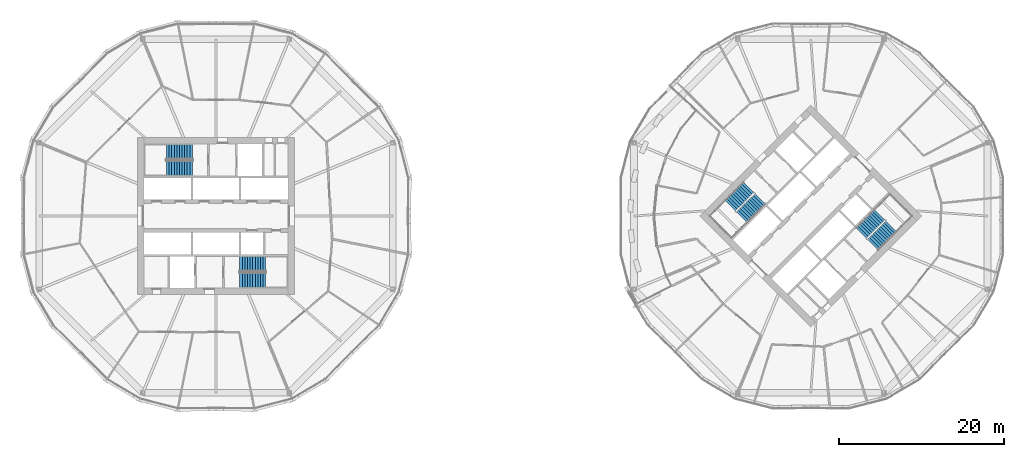
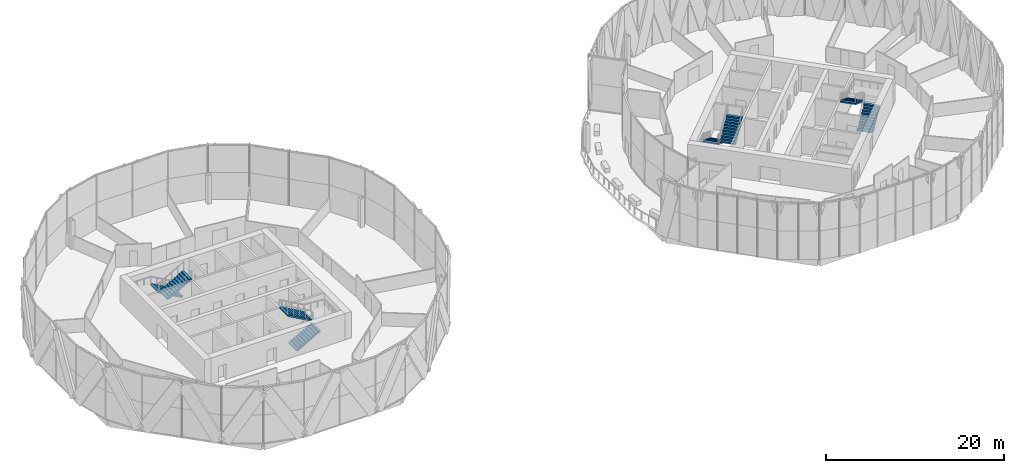
# One storey, part 27 of 31: 8 stair flights, 4 elements without a shape of their own.
"""IFC4 building model written with IfcOpenShell, lengths in metres."""

from ifc_helpers import new_model, si_unit, direction, frame, origin, place, context, subcontext, project, spatial, polyline, outline, extrude, material, type_object, element, aggregate, save


model = new_model("IFC4")

# Units and contexts
model_context = context("Model", 3, precision=1e-05, world=origin(), true_north=direction((0.0, 1.0)))
body_context = subcontext(model_context, "Body", "Model", "MODEL_VIEW")
ifc_project = project(units=[si_unit("LENGTHUNIT", "METRE"), si_unit("AREAUNIT", "SQUARE_METRE"), si_unit("VOLUMEUNIT", "CUBIC_METRE"), si_unit("PLANEANGLEUNIT", "RADIAN"), si_unit("MASSUNIT", "GRAM", prefix="KILO")], contexts=[model_context])

# Site, building, storey
site_placement = place(None, origin())
site = spatial("IfcSite", under=ifc_project, at=site_placement, CompositionType="ELEMENT")
building_placement = place(site_placement, origin())
building = spatial("IfcBuilding", under=site, at=building_placement, Name="Ogive Gate Towers", CompositionType="ELEMENT")
storey_placement = place(building_placement, frame((0.0, 0.0, 107.39990234375)))
storey = spatial("IfcBuildingStorey", under=building, at=storey_placement, Name="L25", CompositionType="ELEMENT", Elevation=107.39990234375)

# Stair, stair flights
ifc_material = material(Name="Concrete C40/50", Category="concrete")
stair_type = type_object("IfcStairType", Name="Escape stair 1840 wide", PredefinedType="HALF_TURN_STAIR", material=ifc_material)
stair_1_placement = place(storey_placement, origin())
stair_1 = element("IfcStair", 1, at=stair_1_placement, inside=storey, type_object=stair_type, Name="L25 Escape stair 1", PredefinedType="HALF_TURN_STAIR")
stair_flight_type = type_object("IfcStairFlightType", Name="Stair flight 1840 wide", PredefinedType="STRAIGHT", material=ifc_material)
stair_flight_1_placement = place(storey_placement, frame((-38.864990234375, 7.780029296875, 0.0), z_axis=(0.0, 0.0, 1.0), x_axis=(-1.0, 0.0, 0.0)))
stair_flight_1 = element("IfcStairFlight", 2, at=stair_flight_1_placement, type_object=stair_flight_type, Name="ST1 flight 1", NumberOfRisers=11, NumberOfTreads=10, PredefinedType="STRAIGHT", RiserHeight=0.177272727, TreadLength=0.313636364, context=body_context, shape_type="SweptSolid", body=[
    extrude(outline(polyline([(0.0, 0.0), (0.0, 0.17724609375), (0.313720703125, 0.17724609375), (0.313720703125, 0.3544921875), (0.627197265625, 0.3544921875), (0.627197265625, 0.53173828125), (0.94091796875, 0.53173828125), (0.94091796875, 0.708984375), (1.254638671875, 0.708984375), (1.254638671875, 0.886474609375), (1.568115234375, 0.886474609375), (1.568115234375, 1.063720703125), (1.8818359375, 1.063720703125), (1.8818359375, 1.240966796875), (2.195556640625, 1.240966796875), (2.195556640625, 1.418212890625), (2.509033203125, 1.418212890625), (2.509033203125, 1.595458984375), (2.82275390625, 1.595458984375), (2.82275390625, 1.772705078125), (3.136474609375, 1.772705078125), (3.136474609375, 1.949951171875), (3.136474609375, 1.6005859375), (0.3046875, 0.0), (0.0, 0.0)])), frame((0.0, 0.919921875, 0.0), z_axis=(0.0, -1.0, 0.0), x_axis=(1.0, 0.0, 0.0)), (0.0, 0.0, 1.0), 1.840087890625),
])
stair_flight_2_placement = place(storey_placement, frame((-42.00146484375, 5.794921875, 1.9501953125), z_axis=(0.0, 0.0, 1.0), x_axis=(1.0, 0.0, 0.0)))
stair_flight_2 = element("IfcStairFlight", 3, at=stair_flight_2_placement, type_object=stair_flight_type, Name="ST1 flight 2", NumberOfRisers=11, NumberOfTreads=10, PredefinedType="STRAIGHT", RiserHeight=0.177272727, TreadLength=0.313636364, context=body_context, shape_type="SweptSolid", body=[
    extrude(outline(polyline([(0.0, 0.0), (0.0, 0.17724609375), (0.313720703125, 0.17724609375), (0.313720703125, 0.3544921875), (0.627197265625, 0.3544921875), (0.627197265625, 0.53173828125), (0.94091796875, 0.53173828125), (0.94091796875, 0.708984375), (1.254638671875, 0.708984375), (1.254638671875, 0.886474609375), (1.568115234375, 0.886474609375), (1.568115234375, 1.063720703125), (1.8818359375, 1.063720703125), (1.8818359375, 1.240966796875), (2.195556640625, 1.240966796875), (2.195556640625, 1.418212890625), (2.509033203125, 1.418212890625), (2.509033203125, 1.595458984375), (2.82275390625, 1.595458984375), (2.82275390625, 1.772705078125), (3.136474609375, 1.772705078125), (3.136474609375, 1.949951171875), (3.136474609375, 1.6005859375), (0.3046875, 0.0), (0.0, 0.0)])), frame((0.0, 0.919921875, 0.0), z_axis=(0.0, -1.0, 0.0), x_axis=(1.0, 0.0, 0.0)), (0.0, 0.0, 1.0), 1.840087890625),
])
aggregate(stair_1, [stair_flight_1, stair_flight_2])

stair_2_placement = place(storey_placement, origin())
stair_2 = element("IfcStair", 4, at=stair_2_placement, inside=storey, type_object=stair_type, Name="L25 Escape stair 2", PredefinedType="HALF_TURN_STAIR")
stair_flight_3_placement = place(storey_placement, frame((-33.135009765625, -7.780029296875, 0.0), z_axis=(0.0, 0.0, 1.0), x_axis=(1.0, 0.0, 0.0)))
stair_flight_3 = element("IfcStairFlight", 5, at=stair_flight_3_placement, type_object=stair_flight_type, Name="ST2 flight 1", NumberOfRisers=11, NumberOfTreads=10, PredefinedType="STRAIGHT", RiserHeight=0.177272727, TreadLength=0.313636364, context=body_context, shape_type="SweptSolid", body=[
    extrude(outline(polyline([(0.0, 0.0), (0.0, 0.17724609375), (0.313720703125, 0.17724609375), (0.313720703125, 0.3544921875), (0.627197265625, 0.3544921875), (0.627197265625, 0.53173828125), (0.94091796875, 0.53173828125), (0.94091796875, 0.708984375), (1.254638671875, 0.708984375), (1.254638671875, 0.886474609375), (1.568115234375, 0.886474609375), (1.568115234375, 1.063720703125), (1.8818359375, 1.063720703125), (1.8818359375, 1.240966796875), (2.195556640625, 1.240966796875), (2.195556640625, 1.418212890625), (2.509033203125, 1.418212890625), (2.509033203125, 1.595458984375), (2.82275390625, 1.595458984375), (2.82275390625, 1.772705078125), (3.136474609375, 1.772705078125), (3.136474609375, 1.949951171875), (3.136474609375, 1.6005859375), (0.3046875, 0.0), (0.0, 0.0)])), frame((0.0, 0.919921875, 0.0), z_axis=(0.0, -1.0, 0.0), x_axis=(1.0, 0.0, 0.0)), (0.0, 0.0, 1.0), 1.840087890625),
])
stair_flight_4_placement = place(storey_placement, frame((-29.99853515625, -5.794921875, 1.9501953125), z_axis=(0.0, 0.0, 1.0), x_axis=(-1.0, 0.0, 0.0)))
stair_flight_4 = element("IfcStairFlight", 6, at=stair_flight_4_placement, type_object=stair_flight_type, Name="ST2 flight 2", NumberOfRisers=11, NumberOfTreads=10, PredefinedType="STRAIGHT", RiserHeight=0.177272727, TreadLength=0.313636364, context=body_context, shape_type="SweptSolid", body=[
    extrude(outline(polyline([(0.0, 0.0), (0.0, 0.17724609375), (0.313720703125, 0.17724609375), (0.313720703125, 0.3544921875), (0.627197265625, 0.3544921875), (0.627197265625, 0.53173828125), (0.94091796875, 0.53173828125), (0.94091796875, 0.708984375), (1.254638671875, 0.708984375), (1.254638671875, 0.886474609375), (1.568115234375, 0.886474609375), (1.568115234375, 1.063720703125), (1.8818359375, 1.063720703125), (1.8818359375, 1.240966796875), (2.195556640625, 1.240966796875), (2.195556640625, 1.418212890625), (2.509033203125, 1.418212890625), (2.509033203125, 1.595458984375), (2.82275390625, 1.595458984375), (2.82275390625, 1.772705078125), (3.136474609375, 1.772705078125), (3.136474609375, 1.949951171875), (3.136474609375, 1.6005859375), (0.3046875, 0.0), (0.0, 0.0)])), frame((0.0, 0.919921875, 0.0), z_axis=(0.0, -1.0, 0.0), x_axis=(1.0, 0.0, 0.0)), (0.0, 0.0, 1.0), 1.840087890625),
])
aggregate(stair_2, [stair_flight_3, stair_flight_4])

stair_3_placement = place(storey_placement, origin())
stair_3 = element("IfcStair", 7, at=stair_3_placement, inside=storey, type_object=stair_type, Name="L25 Escape stair 1", PredefinedType="HALF_TURN_STAIR")
stair_flight_5_placement = place(storey_placement, frame((28.472900390625, 3.475341796875, 0.0), z_axis=(0.0, 0.0, 1.0), x_axis=(-0.707106781187, -0.707106781187, 0.0)))
stair_flight_5 = element("IfcStairFlight", 8, at=stair_flight_5_placement, type_object=stair_flight_type, Name="ST1 flight 1", NumberOfRisers=11, NumberOfTreads=10, PredefinedType="STRAIGHT", RiserHeight=0.177272727, TreadLength=0.313636364, context=body_context, shape_type="SweptSolid", body=[
    extrude(outline(polyline([(0.0, 0.0), (0.0, 0.17724609375), (0.313720703125, 0.17724609375), (0.313720703125, 0.3544921875), (0.627197265625, 0.3544921875), (0.627197265625, 0.53173828125), (0.94091796875, 0.53173828125), (0.94091796875, 0.708984375), (1.254638671875, 0.708984375), (1.254638671875, 0.886474609375), (1.568115234375, 0.886474609375), (1.568115234375, 1.063720703125), (1.8818359375, 1.063720703125), (1.8818359375, 1.240966796875), (2.195556640625, 1.240966796875), (2.195556640625, 1.418212890625), (2.509033203125, 1.418212890625), (2.509033203125, 1.595458984375), (2.82275390625, 1.595458984375), (2.82275390625, 1.772705078125), (3.136474609375, 1.772705078125), (3.136474609375, 1.949951171875), (3.136474609375, 1.6005859375), (0.3046875, 0.0), (0.0, 0.0)])), frame((0.0, 0.919921875, 0.0), z_axis=(0.0, -1.0, 0.0), x_axis=(1.0, 0.0, 0.0)), (0.0, 0.0, 1.0), 1.840087890625),
])
stair_flight_6_placement = place(storey_placement, frame((27.65869140625, -0.14599609375, 1.9501953125), z_axis=(0.0, 0.0, 1.0), x_axis=(0.707106781187, 0.707106781187, 0.0)))
stair_flight_6 = element("IfcStairFlight", 9, at=stair_flight_6_placement, type_object=stair_flight_type, Name="ST1 flight 2", NumberOfRisers=11, NumberOfTreads=10, PredefinedType="STRAIGHT", RiserHeight=0.177272727, TreadLength=0.313636364, context=body_context, shape_type="SweptSolid", body=[
    extrude(outline(polyline([(0.0, 0.0), (0.0, 0.17724609375), (0.313720703125, 0.17724609375), (0.313720703125, 0.3544921875), (0.627197265625, 0.3544921875), (0.627197265625, 0.53173828125), (0.94091796875, 0.53173828125), (0.94091796875, 0.708984375), (1.254638671875, 0.708984375), (1.254638671875, 0.886474609375), (1.568115234375, 0.886474609375), (1.568115234375, 1.063720703125), (1.8818359375, 1.063720703125), (1.8818359375, 1.240966796875), (2.195556640625, 1.240966796875), (2.195556640625, 1.418212890625), (2.509033203125, 1.418212890625), (2.509033203125, 1.595458984375), (2.82275390625, 1.595458984375), (2.82275390625, 1.772705078125), (3.136474609375, 1.772705078125), (3.136474609375, 1.949951171875), (3.136474609375, 1.6005859375), (0.3046875, 0.0), (0.0, 0.0)])), frame((0.0, 0.919921875, 0.0), z_axis=(0.0, -1.0, 0.0), x_axis=(1.0, 0.0, 0.0)), (0.0, 0.0, 1.0), 1.840087890625),
])
aggregate(stair_3, [stair_flight_5, stair_flight_6])

stair_4_placement = place(storey_placement, origin())
stair_4 = element("IfcStair", 10, at=stair_4_placement, inside=storey, type_object=stair_type, Name="L25 Escape stair 2", PredefinedType="HALF_TURN_STAIR")
stair_flight_7_placement = place(storey_placement, frame((43.527099609375, -3.475341796875, 0.0), z_axis=(0.0, 0.0, 1.0), x_axis=(0.707106781187, 0.707106781187, 0.0)))
stair_flight_7 = element("IfcStairFlight", 11, at=stair_flight_7_placement, type_object=stair_flight_type, Name="ST2 flight 1", NumberOfRisers=11, NumberOfTreads=10, PredefinedType="STRAIGHT", RiserHeight=0.177272727, TreadLength=0.313636364, context=body_context, shape_type="SweptSolid", body=[
    extrude(outline(polyline([(0.0, 0.0), (0.0, 0.17724609375), (0.313720703125, 0.17724609375), (0.313720703125, 0.3544921875), (0.627197265625, 0.3544921875), (0.627197265625, 0.53173828125), (0.94091796875, 0.53173828125), (0.94091796875, 0.708984375), (1.254638671875, 0.708984375), (1.254638671875, 0.886474609375), (1.568115234375, 0.886474609375), (1.568115234375, 1.063720703125), (1.8818359375, 1.063720703125), (1.8818359375, 1.240966796875), (2.195556640625, 1.240966796875), (2.195556640625, 1.418212890625), (2.509033203125, 1.418212890625), (2.509033203125, 1.595458984375), (2.82275390625, 1.595458984375), (2.82275390625, 1.772705078125), (3.136474609375, 1.772705078125), (3.136474609375, 1.949951171875), (3.136474609375, 1.6005859375), (0.3046875, 0.0), (0.0, 0.0)])), frame((0.0, 0.919921875, 0.0), z_axis=(0.0, -1.0, 0.0), x_axis=(1.0, 0.0, 0.0)), (0.0, 0.0, 1.0), 1.840087890625),
])
stair_flight_8_placement = place(storey_placement, frame((44.34130859375, 0.14599609375, 1.9501953125), z_axis=(0.0, 0.0, 1.0), x_axis=(-0.707106781187, -0.707106781187, 0.0)))
stair_flight_8 = element("IfcStairFlight", 12, at=stair_flight_8_placement, type_object=stair_flight_type, Name="ST2 flight 2", NumberOfRisers=11, NumberOfTreads=10, PredefinedType="STRAIGHT", RiserHeight=0.177272727, TreadLength=0.313636364, context=body_context, shape_type="SweptSolid", body=[
    extrude(outline(polyline([(0.0, 0.0), (0.0, 0.17724609375), (0.313720703125, 0.17724609375), (0.313720703125, 0.3544921875), (0.627197265625, 0.3544921875), (0.627197265625, 0.53173828125), (0.94091796875, 0.53173828125), (0.94091796875, 0.708984375), (1.254638671875, 0.708984375), (1.254638671875, 0.886474609375), (1.568115234375, 0.886474609375), (1.568115234375, 1.063720703125), (1.8818359375, 1.063720703125), (1.8818359375, 1.240966796875), (2.195556640625, 1.240966796875), (2.195556640625, 1.418212890625), (2.509033203125, 1.418212890625), (2.509033203125, 1.595458984375), (2.82275390625, 1.595458984375), (2.82275390625, 1.772705078125), (3.136474609375, 1.772705078125), (3.136474609375, 1.949951171875), (3.136474609375, 1.6005859375), (0.3046875, 0.0), (0.0, 0.0)])), frame((0.0, 0.919921875, 0.0), z_axis=(0.0, -1.0, 0.0), x_axis=(1.0, 0.0, 0.0)), (0.0, 0.0, 1.0), 1.840087890625),
])
aggregate(stair_4, [stair_flight_7, stair_flight_8])

save(model, "model.ifc")
